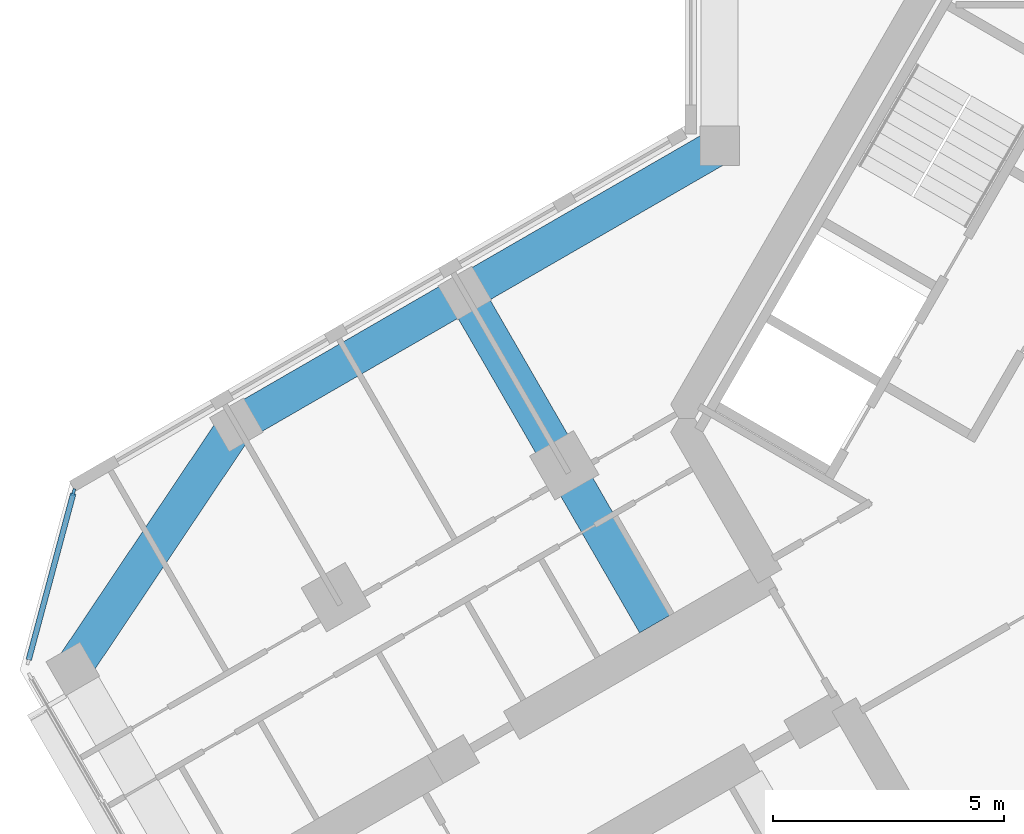
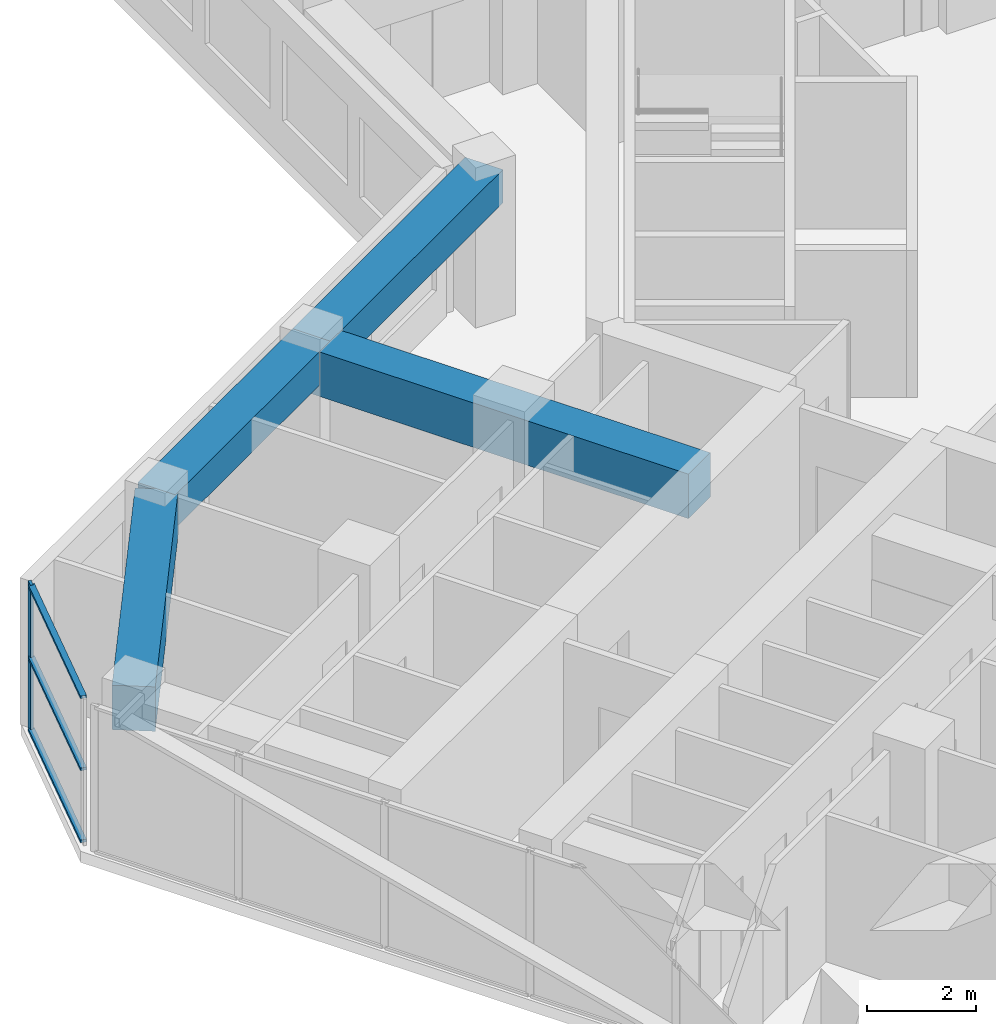
# One storey, part 3 of 16: 4 beams, 4 members, 1 element without a shape of its own.
"""IFC4 building model written with IfcOpenShell, lengths in metres."""

from ifc_helpers import new_model, si_unit, direction, frame, origin, origin_2d, place, context, subcontext, project, spatial, rectangle, extrude, material, material_profile, profile_set, type_object, element, aggregate, save


model = new_model("IFC4")

# Units and contexts
model_context = context("Model", 3, precision=1e-05, world=origin(), true_north=direction((0.0, 1.0)))
body_context = subcontext(model_context, "Body", "Model", "MODEL_VIEW")
ifc_project = project(units=[si_unit("LENGTHUNIT", "METRE"), si_unit("AREAUNIT", "SQUARE_METRE"), si_unit("VOLUMEUNIT", "CUBIC_METRE"), si_unit("PLANEANGLEUNIT", "RADIAN"), si_unit("MASSUNIT", "GRAM", prefix="KILO")], contexts=[model_context])

# Site, building, storey
site_placement = place(None, origin())
site = spatial("IfcSite", under=ifc_project, at=site_placement, CompositionType="ELEMENT")
building_placement = place(site_placement, origin())
building = spatial("IfcBuilding", under=site, at=building_placement, Name="Kosmar Iwan School Tower", CompositionType="ELEMENT")
storey_placement = place(building_placement, frame((0.0, 0.0, 256.800048828125)))
storey = spatial("IfcBuildingStorey", under=building, at=storey_placement, Name="L65", CompositionType="ELEMENT", Elevation=256.800048828125)

# Beams
ifc_material_1 = material(Name="Concrete C50/60", Category="concrete")
ifc_material_profile_1 = material_profile(ifc_material_1, rectangle(XDim=0.800048828125, YDim=0.75, at=origin_2d()), Name="RC 800x750 + HD 400x634")
ifc_profile_set_1 = profile_set([ifc_material_profile_1], Name="Concrete C50/60")
beam_type_1 = type_object("IfcBeamType", Name="Composite edge beam 800x750 HD 400x634", PredefinedType="BEAM", material=ifc_profile_set_1)
beam_1_placement = place(storey_placement, frame((-10.199951171875, 5.888916015625, 2.925048828125), z_axis=(-0.866030912664, -0.49999045822, 0.0), x_axis=(0.49999045822, -0.866030912664, 0.0)))
element("IfcBeam", 1, at=beam_1_placement, inside=storey, type_object=beam_type_1, Name="Edge beam BR1", PredefinedType="BEAM", context=body_context, shape_type="SweptSolid", body=[
    extrude(rectangle(XDim=0.800048828125, YDim=0.75, at=origin_2d()), origin(), (0.0, 0.0, 1.0), 6.36083984375),
])
beam_2_placement = place(storey_placement, frame((-15.708740234375, 2.70849609375, 2.925048828125), z_axis=(-0.866025820012, -0.499999279071, 0.0), x_axis=(0.499999279071, -0.866025820012, 0.0)))
element("IfcBeam", 2, at=beam_2_placement, inside=storey, type_object=beam_type_1, Name="Edge beam BR2", PredefinedType="BEAM", context=body_context, shape_type="SweptSolid", body=[
    extrude(rectangle(XDim=0.800048828125, YDim=0.75, at=origin_2d()), origin(), (0.0, 0.0, 1.0), 5.7001953125),
])
ifc_material_2 = material(Name="Concrete C50/60", Category="concrete")
ifc_material_profile_2 = material_profile(ifc_material_2, rectangle(XDim=0.800048828125, YDim=1.0, at=origin_2d()), Name="RC 800x1000 + HD 400x347")
ifc_profile_set_2 = profile_set([ifc_material_profile_2], Name="Concrete C50/60")
beam_type_2 = type_object("IfcBeamType", Name="Composite tip beam 800x1000 HD 400x347", PredefinedType="BEAM", material=ifc_profile_set_2)
beam_3_placement = place(storey_placement, frame((-20.645263671875, -0.1416015625, 2.800048828125), z_axis=(-0.556827604145, -0.83062808721, 0.0), x_axis=(0.83062808721, -0.556827604145, 0.0)))
element("IfcBeam", 3, at=beam_3_placement, inside=storey, type_object=beam_type_2, Name="Tip beam BR", PredefinedType="BEAM", context=body_context, shape_type="SweptSolid", body=[
    extrude(rectangle(XDim=0.800048828125, YDim=1.0, at=origin_2d()), origin(), (0.0, 0.0, 1.0), 6.3505859375),
])
ifc_material_3 = material(Name="Concrete C50/60", Category="concrete")
ifc_material_profile_3 = material_profile(ifc_material_3, rectangle(XDim=0.800048828125, YDim=1.0, at=origin_2d()), Name="RC 800x1000 + HD 400x634")
ifc_profile_set_3 = profile_set([ifc_material_profile_3], Name="Concrete C50/60")
beam_type_3 = type_object("IfcBeamType", Name="Composite transverse beam 800x1000 HD 400x634", PredefinedType="BEAM", material=ifc_profile_set_3)
beam_4_placement = place(storey_placement, frame((-15.708740234375, 2.70849609375, 2.800048828125), z_axis=(0.499996545922, -0.866027397988, 0.0), x_axis=(0.866027397988, 0.499996545922, 0.0)))
element("IfcBeam", 4, at=beam_4_placement, inside=storey, type_object=beam_type_3, Name="Transverse beam BR1", PredefinedType="BEAM", context=body_context, shape_type="SweptSolid", body=[
    extrude(rectangle(XDim=0.800048828125, YDim=1.0, at=origin_2d()), origin(), (0.0, 0.0, 1.0), 8.25),
])

# Curtain wall, members
ifc_material_4 = material(Name="Dark glass in black aluminium frame", Category="aluminium")
curtain_wall_type = type_object("IfcCurtainWallType", Name="Chamfer curtain wall dark glass", PredefinedType="USERDEFINED", material=ifc_material_4)
curtain_wall_placement = place(storey_placement, origin())
curtain_wall = element("IfcCurtainWall", 5, at=curtain_wall_placement, inside=storey, type_object=curtain_wall_type, Name="Curtain wall L65-F10", ObjectType="FACETED CURTAIN WALL", PredefinedType="USERDEFINED")
ifc_material_5 = material(Name="Black anodised aluminium", Category="aluminium")
ifc_material_profile_4 = material_profile(ifc_material_5, rectangle(XDim=0.06005859375, YDim=0.159912109375, at=origin_2d()), Name="MULLION 60x160")
ifc_profile_set_4 = profile_set([ifc_material_profile_4], Name="Black anodised aluminium")
member_type_1 = type_object("IfcMemberType", Name="Mullion 60x160", PredefinedType="MULLION", material=ifc_profile_set_4)
member_1_placement = place(storey_placement, frame((-24.163818359375, -1.59814453125, 0.0), z_axis=(0.0, 0.0, 1.0), x_axis=(0.965925875495, -0.258818861462, 0.0)))
member_1 = element("IfcMember", 6, at=member_1_placement, type_object=member_type_1, Name="CW2 mullion 1", PredefinedType="MULLION", context=body_context, shape_type="SweptSolid", body=[
    extrude(rectangle(XDim=0.06005859375, YDim=0.159912109375, at=origin_2d()), origin(), (0.0, 0.0, 1.0), 3.300048828125),
])
ifc_material_6 = material(Name="Black anodised aluminium", Category="aluminium")
ifc_material_profile_5 = material_profile(ifc_material_6, rectangle(XDim=0.1201171875, YDim=0.06005859375, at=origin_2d()), Name="TRANSOM 60x120")
ifc_profile_set_5 = profile_set([ifc_material_profile_5], Name="Black anodised aluminium")
member_type_2 = type_object("IfcMemberType", Name="Transom 60x120", PredefinedType="USERDEFINED", material=ifc_profile_set_5)
member_2_placement = place(storey_placement, frame((-24.17138671875, -1.627197265625, 0.030029296875), z_axis=(-0.258843273983, -0.965919333854, 0.0), x_axis=(0.965919333854, -0.258843273983, 0.0)))
member_2 = element("IfcMember", 7, at=member_2_placement, type_object=member_type_2, Name="CW2 transom 1.1", ObjectType="TRANSOM", PredefinedType="USERDEFINED", context=body_context, shape_type="SweptSolid", body=[
    extrude(rectangle(XDim=0.1201171875, YDim=0.06005859375, at=origin_2d()), origin(), (0.0, 0.0, 1.0), 3.718994140625),
])
member_3_placement = place(storey_placement, frame((-24.17138671875, -1.627197265625, 1.64990234375), z_axis=(-0.258843273983, -0.965919333854, 0.0), x_axis=(0.965919333854, -0.258843273983, 0.0)))
member_3 = element("IfcMember", 8, at=member_3_placement, type_object=member_type_2, Name="CW2 transom 1.2", ObjectType="TRANSOM", PredefinedType="USERDEFINED", context=body_context, shape_type="SweptSolid", body=[
    extrude(rectangle(XDim=0.1201171875, YDim=0.06005859375, at=origin_2d()), origin(), (0.0, 0.0, 1.0), 3.718994140625),
])
member_4_placement = place(storey_placement, frame((-24.17138671875, -1.627197265625, 3.27001953125), z_axis=(-0.258843273983, -0.965919333854, 0.0), x_axis=(0.965919333854, -0.258843273983, 0.0)))
member_4 = element("IfcMember", 9, at=member_4_placement, type_object=member_type_2, Name="CW2 transom 1.3", ObjectType="TRANSOM", PredefinedType="USERDEFINED", context=body_context, shape_type="SweptSolid", body=[
    extrude(rectangle(XDim=0.1201171875, YDim=0.06005859375, at=origin_2d()), origin(), (0.0, 0.0, 1.0), 3.718994140625),
])
aggregate(curtain_wall, [member_1, member_2, member_3, member_4])

save(model, "model.ifc")
